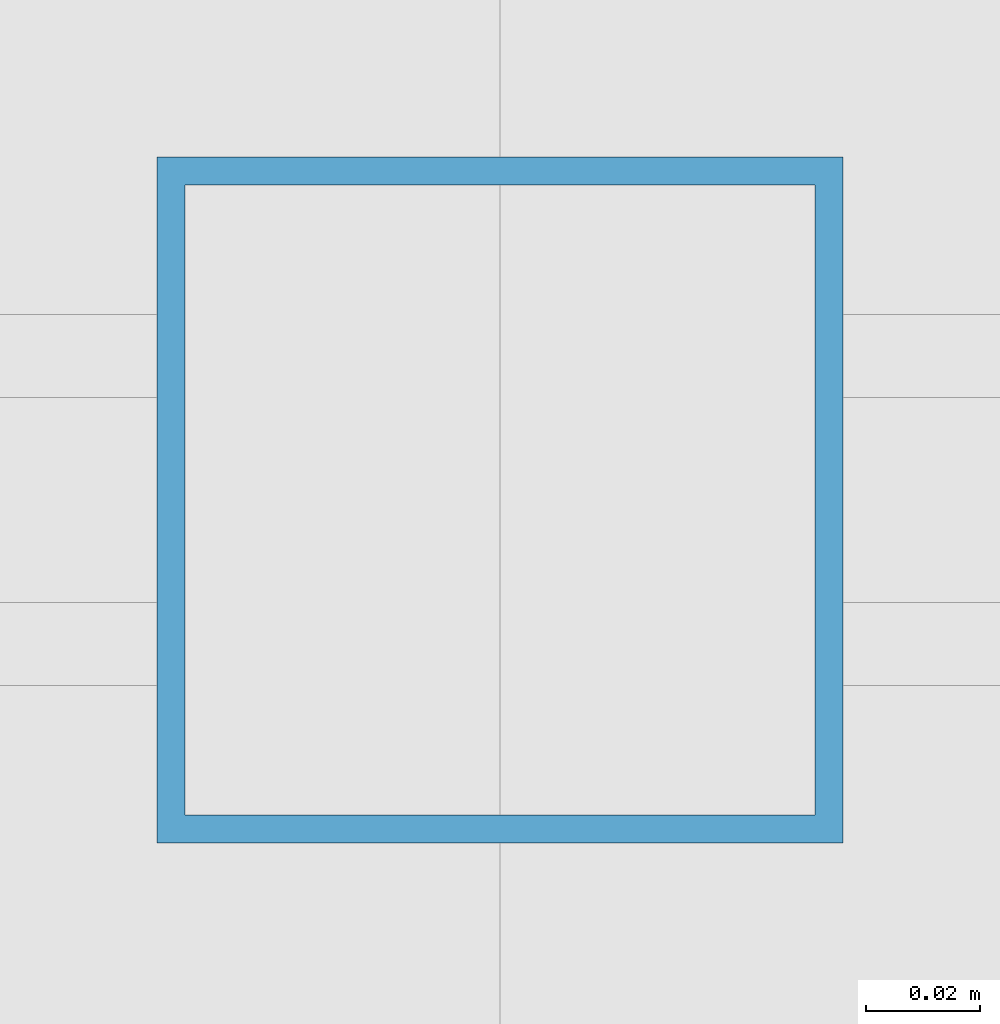
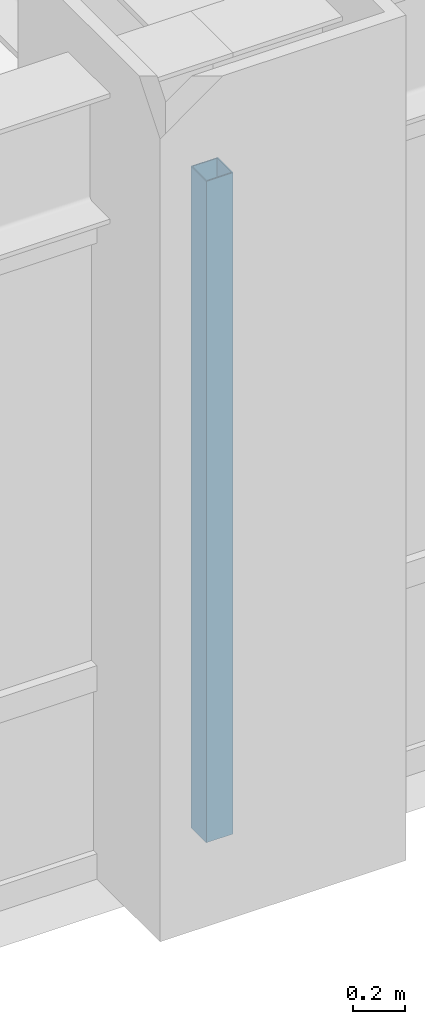
# One storey, part 4 of 24: 1 member, 1 element without a shape of its own.
"""IFC4 building model written with IfcOpenShell, lengths in metres."""

from ifc_helpers import new_model, si_unit, direction, frame, origin, origin_2d, place, context, subcontext, project, spatial, hollow_rectangle, extrude, source, transform, mapped, material, material_profile, profile_set, type_object, element, aggregate, save


model = new_model("IFC4")

# Units and contexts
model_context = context("Model", 3, precision=1e-05, world=origin(), true_north=direction((0.0, 1.0)))
body_context = subcontext(model_context, "Body", "Model", "MODEL_VIEW")
ifc_project = project(units=[si_unit("LENGTHUNIT", "METRE"), si_unit("AREAUNIT", "SQUARE_METRE"), si_unit("VOLUMEUNIT", "CUBIC_METRE"), si_unit("PLANEANGLEUNIT", "RADIAN"), si_unit("MASSUNIT", "GRAM", prefix="KILO")], contexts=[model_context])

# Site, building, storey
site_placement = place(None, origin())
site = spatial("IfcSite", under=ifc_project, at=site_placement, CompositionType="ELEMENT")
building_placement = place(site_placement, origin())
building = spatial("IfcBuilding", under=site, at=building_placement, Name="Khorayat Bourse Tower", CompositionType="ELEMENT")
storey_placement = place(building_placement, frame((0.0, 0.0, 175.10009765625)))
storey = spatial("IfcBuildingStorey", under=building, at=storey_placement, Name="L40", CompositionType="ELEMENT", Elevation=175.10009765625)

# Curtain wall, member
ifc_material = material(Name="Aluminium EN AW-6063 T6", Category="aluminium")
curtain_wall_type = type_object("IfcCurtainWallType", Name="CW-SYS-03", PredefinedType="NOTDEFINED", material=ifc_material)
curtain_wall_placement = place(storey_placement, origin())
curtain_wall = element("IfcCurtainWall", 1, at=curtain_wall_placement, inside=storey, type_object=curtain_wall_type, Name="L40 Curtain Wall CW-L40-S1", PredefinedType="NOTDEFINED")
ifc_material_profile = material_profile(ifc_material, hollow_rectangle(XDim=0.1201171875, YDim=0.1201171875, WallThickness=0.0048828125, at=origin_2d()), Name="ALU 120x120x5")
ifc_profile_set = profile_set([ifc_material_profile], Name="Aluminium EN AW-6063 T6")
member_type = type_object("IfcMemberType", Name="CWM-VERT-120", PredefinedType="MULLION", material=ifc_profile_set)
shared_shape = source(origin(), body_context, "Body", "SweptSolid", [
    extrude(hollow_rectangle(XDim=0.1201171875, YDim=0.1201171875, WallThickness=0.0048828125, at=origin_2d()), origin(), (0.0, 0.0, 1.0), 3.1298828125),
])
member_placement = place(storey_placement, frame((0.0, -30.0, 0.0), z_axis=(0.0, 0.0, 1.0), x_axis=(0.0, 1.0, 0.0)))
member = element("IfcMember", 2, at=member_placement, type_object=member_type, Name="CW-L40-S1 Vertical Mullion 2", PredefinedType="MULLION", context=body_context, shape_type="MappedRepresentation", body=[
    mapped(shared_shape, transform((0.0, 0.0, 0.0), scale=1.0)),
])
aggregate(curtain_wall, [member])

save(model, "model.ifc")
